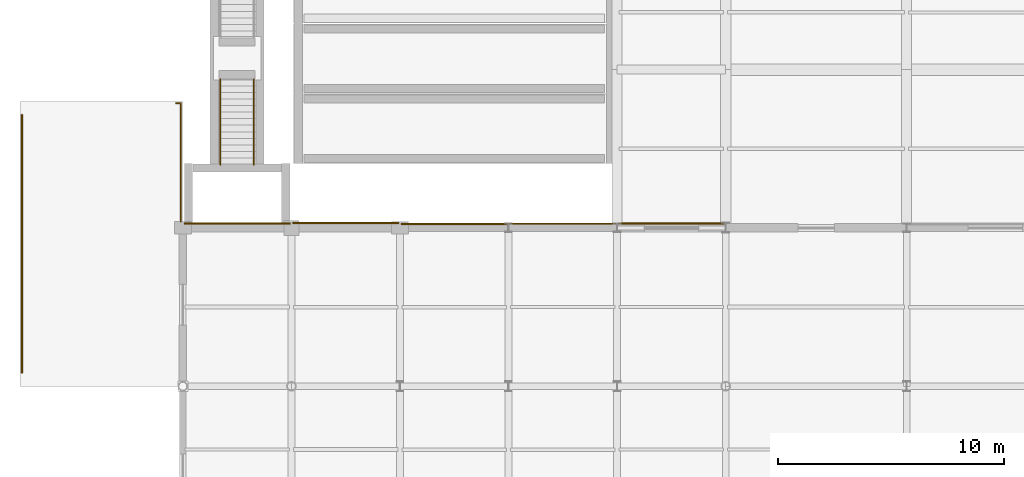
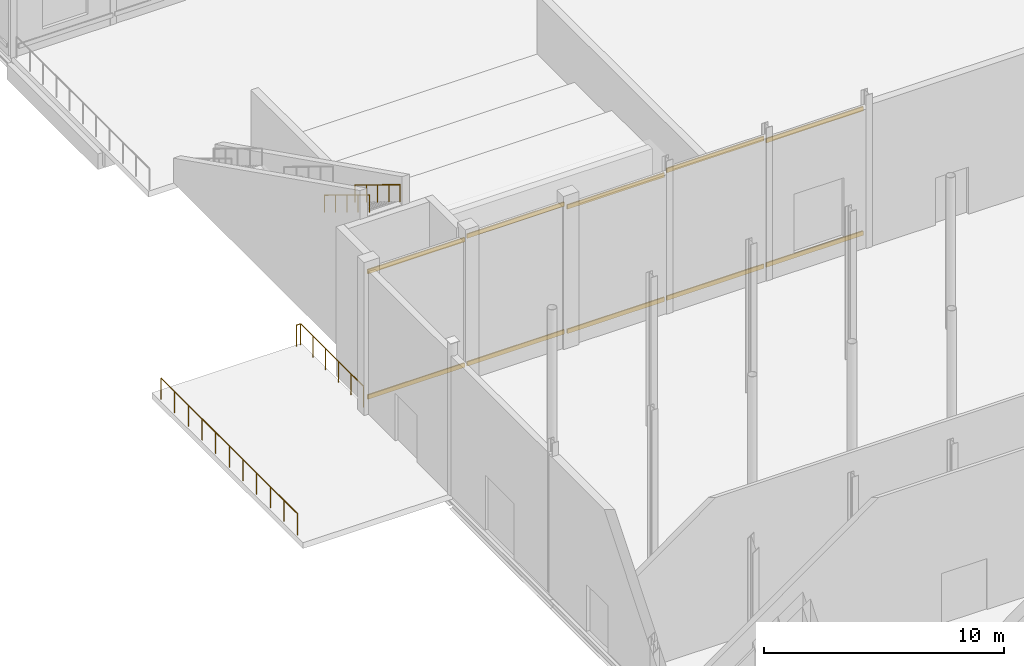
# One storey, part 162 of 176: 10 coverings, 4 railings.
"""IFC4 building model written with IfcOpenShell, lengths in metres."""

from ifc_helpers import new_model, si_unit, direction, frame, origin, origin_2d, place, context, subcontext, project, spatial, rectangle, circle, extrude, material, layer, layer_set, type_object, element, save


model = new_model("IFC4")

# Units and contexts
model_context = context("Model", 3, precision=1e-05, world=origin(), true_north=direction((0.0, 1.0)))
body_context = subcontext(model_context, "Body", "Model", "MODEL_VIEW")
ifc_project = project(units=[si_unit("LENGTHUNIT", "METRE"), si_unit("AREAUNIT", "SQUARE_METRE"), si_unit("VOLUMEUNIT", "CUBIC_METRE"), si_unit("PLANEANGLEUNIT", "RADIAN"), si_unit("MASSUNIT", "GRAM", prefix="KILO")], contexts=[model_context])

# Site, building, storey
site_placement = place(None, origin())
site = spatial("IfcSite", under=ifc_project, at=site_placement, CompositionType="ELEMENT")
building_placement = place(site_placement, origin())
building = spatial("IfcBuilding", under=site, at=building_placement, Name="Vekula Escarpment Museum", CompositionType="ELEMENT")
storey_placement = place(building_placement, origin())
storey = spatial("IfcBuildingStorey", under=building, at=storey_placement, Name="L01", CompositionType="ELEMENT", Elevation=0.0)

# Coverings
ifc_material_1 = material(Name="Polychrome limestone almasik string-course band", Category="masonry")
ifc_layer = layer(ifc_material_1, 0.06005859375)
ifc_layer_set = layer_set([ifc_layer], Name="Polychrome limestone almasik string-course band")
covering_type = type_object("IfcCoveringType", Name="COV-ALM-BAND", PredefinedType="CLADDING", material=ifc_layer_set)
for number, where, z_axis, x_axis, name in (
    (1, (21.60009765625, 83.60107421875, 0.41015625), (0.0, 0.0, 1.0), (1.0, 0.0, 0.0), "Almasik Stone String Course L01-0153"),
    (2, (21.60009765625, 83.60107421875, 6.7451171875), (0.0, 0.0, 1.0), (1.0, 0.0, 0.0), "Almasik Stone String Course L01-0154"),
    (3, (16.800048828125, 83.5859375, 0.41015625), (0.0, 0.0, 1.0), (1.0, 0.0, 0.0), "Almasik Stone String Course L01-0155"),
    (4, (16.800048828125, 83.5859375, 6.9150390625), (0.0, 0.0, 1.0), (1.0, 0.0, 0.0), "Almasik Stone String Course L01-0156"),
    (5, (12.0, 83.575927734375, 0.41015625), (0.0, 0.0, 1.0), (1.0, 0.0, 0.0), "Almasik Stone String Course L01-0157"),
    (6, (12.0, 83.575927734375, 6.7451171875), (0.0, 0.0, 1.0), (1.0, 0.0, 0.0), "Almasik Stone String Course L01-0158"),
    (7, (7.199951171875, 83.615966796875, 0.41015625), (0.0, 0.0, 1.0), (1.0, 0.0, 0.0), "Almasik Stone String Course L01-0159"),
    (8, (7.199951171875, 83.615966796875, 6.9150390625), (0.0, 0.0, 1.0), (1.0, 0.0, 0.0), "Almasik Stone String Course L01-0160"),
    (9, (2.39990234375, 83.60107421875, 0.41015625), (0.0, 0.0, 1.0), (1.0, 0.0, 0.0), "Almasik Stone String Course L01-0161"),
    (10, (2.39990234375, 83.60107421875, 6.794921875), (0.0, 0.0, 1.0), (1.0, 0.0, 0.0), "Almasik Stone String Course L01-0162"),
):
    element("IfcCovering", number, at=place(storey_placement, frame(where, z_axis=z_axis, x_axis=x_axis)), inside=storey, type_object=covering_type, Name=name, PredefinedType="CLADDING", context=body_context, shape_type="SweptSolid", body=[
        extrude(rectangle(XDim=4.679931640625, YDim=0.06005859375, at=origin_2d()), origin(), (0.0, 0.0, 1.0), 0.219970703125),
    ])

# Railings
ifc_material_2 = material(Name="Brushed stainless steel handrail", Category="steel")
railing_type_1 = type_object("IfcRailingType", Name="RL-STAIR-HAND", PredefinedType="HANDRAIL", material=ifc_material_2)
for number, where, name in (
    (11, (1.659912109375, 89.969970703125, 5.49560546875), "Escarpment Plinth Stair Handrail ST-AMP-N1-3L"),
    (12, (3.139892578125, 89.969970703125, 5.49560546875), "Escarpment Plinth Stair Handrail ST-AMP-N1-3R"),
):
    element("IfcRailing", number, at=place(storey_placement, frame(where)), inside=storey, type_object=railing_type_1, Name=name, PredefinedType="HANDRAIL", context=body_context, shape_type="SweptSolid", body=[
        extrude(circle(Radius=0.02392578125, at=origin_2d()), frame((0.0, 0.0, 0.8759765625), z_axis=(0.0, -0.853227196125, 0.521539405791), x_axis=(1.0, 0.0, 0.0)), (0.0, 0.0, 1.0), 4.41845703125),
        extrude(circle(Radius=0.02099609375, at=origin_2d()), origin(), (0.0, 0.0, 1.0), 0.851806640625),
        extrude(circle(Radius=0.02099609375, at=origin_2d()), frame((0.0, -0.9423828125, 0.576171875)), (0.0, 0.0, 1.0), 0.851806640625),
        extrude(circle(Radius=0.02099609375, at=origin_2d()), frame((0.0, -1.885009765625, 1.15234375)), (0.0, 0.0, 1.0), 0.851806640625),
        extrude(circle(Radius=0.02099609375, at=origin_2d()), frame((0.0, -2.82763671875, 1.728271484375)), (0.0, 0.0, 1.0), 0.851806640625),
        extrude(circle(Radius=0.02099609375, at=origin_2d()), frame((0.0, -3.77001953125, 2.304443359375)), (0.0, 0.0, 1.0), 0.851806640625),
    ])
ifc_material_3 = material(Name="Bronze-coated Steel S355 balustrade", Category="steel")
railing_type_2 = type_object("IfcRailingType", Name="RL-TER-GUARD", PredefinedType="GUARDRAIL", material=ifc_material_3)
railing_1_placement = place(storey_placement, frame((-7.110107421875, 77.0, 0.0)))
element("IfcRailing", 13, at=railing_1_placement, inside=storey, type_object=railing_type_2, Name="Terrace Balustrade L01-002", PredefinedType="GUARDRAIL", context=body_context, shape_type="SweptSolid", body=[
    extrude(circle(Radius=0.02392578125, at=origin_2d()), frame((0.0, 0.0, 1.076171875), z_axis=(0.0, 1.0, 0.0), x_axis=(-1.0, 0.0, 0.0)), (0.0, 0.0, 1.0), 11.39990234375),
    extrude(circle(Radius=0.02099609375, at=origin_2d()), origin(), (0.0, 0.0, 1.0), 1.052001953125),
    extrude(circle(Radius=0.02099609375, at=origin_2d()), frame((0.0, 1.139892578125, 0.0)), (0.0, 0.0, 1.0), 1.052001953125),
    extrude(circle(Radius=0.02099609375, at=origin_2d()), frame((0.0, 2.280029296875, 0.0)), (0.0, 0.0, 1.0), 1.052001953125),
    extrude(circle(Radius=0.02099609375, at=origin_2d()), frame((0.0, 3.419921875, 0.0)), (0.0, 0.0, 1.0), 1.052001953125),
    extrude(circle(Radius=0.02099609375, at=origin_2d()), frame((0.0, 4.56005859375, 0.0)), (0.0, 0.0, 1.0), 1.052001953125),
    extrude(circle(Radius=0.02099609375, at=origin_2d()), frame((0.0, 5.699951171875, 0.0)), (0.0, 0.0, 1.0), 1.052001953125),
    extrude(circle(Radius=0.02099609375, at=origin_2d()), frame((0.0, 6.83984375, 0.0)), (0.0, 0.0, 1.0), 1.052001953125),
    extrude(circle(Radius=0.02099609375, at=origin_2d()), frame((0.0, 7.97998046875, 0.0)), (0.0, 0.0, 1.0), 1.052001953125),
    extrude(circle(Radius=0.02099609375, at=origin_2d()), frame((0.0, 9.119873046875, 0.0)), (0.0, 0.0, 1.0), 1.052001953125),
    extrude(circle(Radius=0.02099609375, at=origin_2d()), frame((0.0, 10.260009765625, 0.0)), (0.0, 0.0, 1.0), 1.052001953125),
    extrude(circle(Radius=0.02099609375, at=origin_2d()), frame((0.0, 11.39990234375, 0.0)), (0.0, 0.0, 1.0), 1.052001953125),
])
railing_2_placement = place(storey_placement, frame((-0.300048828125, 88.909912109375, 0.0)))
element("IfcRailing", 14, at=railing_2_placement, inside=storey, type_object=railing_type_2, Name="Terrace Balustrade L01-003", PredefinedType="GUARDRAIL", context=body_context, shape_type="SweptSolid", body=[
    extrude(circle(Radius=0.02392578125, at=origin_2d()), frame((0.0, 0.0, 1.076171875), z_axis=(1.0, 0.0, 0.0), x_axis=(0.0, 1.0, 0.0)), (0.0, 0.0, 1.0), 0.2099609375),
    extrude(circle(Radius=0.02392578125, at=origin_2d()), frame((0.2099609375, 0.0, 1.076171875), z_axis=(0.0, -1.0, 0.0), x_axis=(1.0, 0.0, 0.0)), (0.0, 0.0, 1.0), 5.22998046875),
    extrude(circle(Radius=0.02099609375, at=origin_2d()), origin(), (0.0, 0.0, 1.0), 1.052001953125),
    extrude(circle(Radius=0.02099609375, at=origin_2d()), frame((0.2099609375, 0.0, 0.0)), (0.0, 0.0, 1.0), 1.052001953125),
    extrude(circle(Radius=0.02099609375, at=origin_2d()), frame((0.2099609375, -1.0458984375, 0.0)), (0.0, 0.0, 1.0), 1.052001953125),
    extrude(circle(Radius=0.02099609375, at=origin_2d()), frame((0.2099609375, -2.092041015625, 0.0)), (0.0, 0.0, 1.0), 1.052001953125),
    extrude(circle(Radius=0.02099609375, at=origin_2d()), frame((0.2099609375, -3.137939453125, 0.0)), (0.0, 0.0, 1.0), 1.052001953125),
    extrude(circle(Radius=0.02099609375, at=origin_2d()), frame((0.2099609375, -4.18408203125, 0.0)), (0.0, 0.0, 1.0), 1.052001953125),
    extrude(circle(Radius=0.02099609375, at=origin_2d()), frame((0.2099609375, -5.22998046875, 0.0)), (0.0, 0.0, 1.0), 1.052001953125),
])

save(model, "model.ifc")
